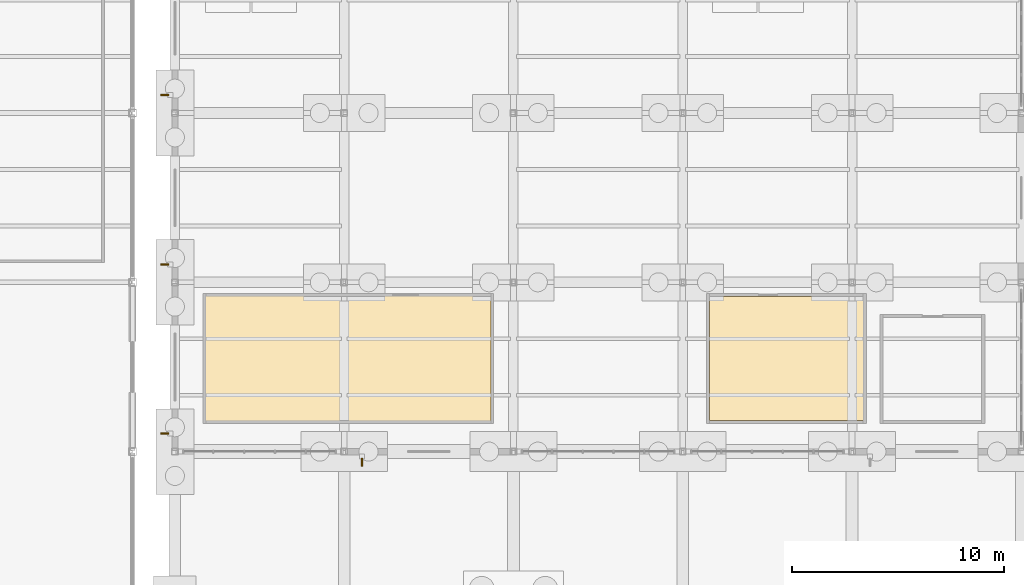
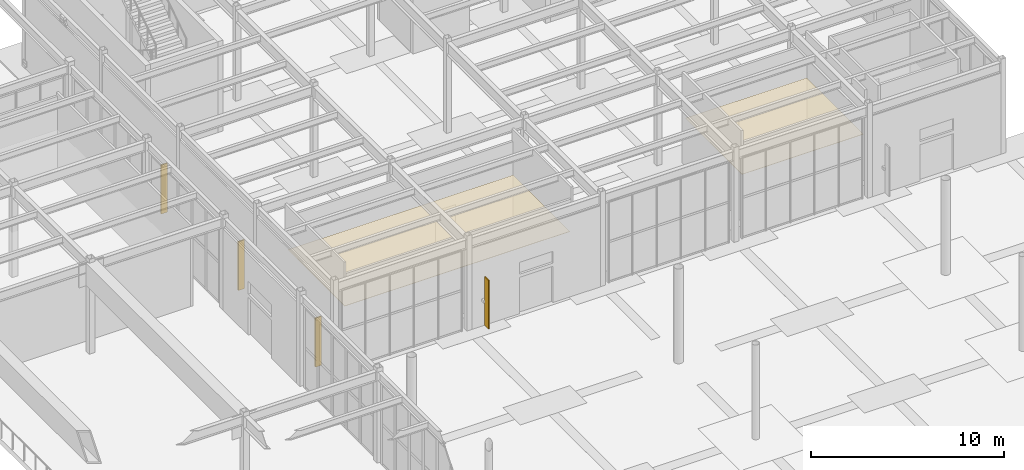
# One storey, part 79 of 82: 4 shading devices, 2 coverings.
"""IFC4 building model written with IfcOpenShell, lengths in metres."""

from ifc_helpers import new_model, si_unit, direction, frame, origin, origin_2d, place, context, subcontext, project, spatial, polyline, rectangle, outline, extrude, material, layer, layer_set, type_object, element, save


model = new_model("IFC4")

# Units and contexts
model_context = context("Model", 3, precision=1e-05, world=origin(), true_north=direction((0.0, 1.0)))
body_context = subcontext(model_context, "Body", "Model", "MODEL_VIEW")
ifc_project = project(units=[si_unit("LENGTHUNIT", "METRE"), si_unit("AREAUNIT", "SQUARE_METRE"), si_unit("VOLUMEUNIT", "CUBIC_METRE"), si_unit("PLANEANGLEUNIT", "RADIAN"), si_unit("MASSUNIT", "GRAM", prefix="KILO")], contexts=[model_context])

# Site, building, storey
site_placement = place(None, origin())
site = spatial("IfcSite", under=ifc_project, at=site_placement, CompositionType="ELEMENT")
building_placement = place(site_placement, origin())
building = spatial("IfcBuilding", under=site, at=building_placement, Name="Drelvath Fold Interchange", CompositionType="ELEMENT")
storey_placement = place(building_placement, origin())
storey = spatial("IfcBuildingStorey", under=building, at=storey_placement, Name="L00", CompositionType="ELEMENT", Elevation=0.0)

# Coverings
ifc_material_1 = material(Name="Perforated Aluminium Acoustic Ceiling", Category="aluminium")
ifc_layer = layer(ifc_material_1, 0.01806640625, Name="Perforated Aluminium Acoustic Ceiling")
ifc_layer_set = layer_set([ifc_layer], Name="Perforated Aluminium Acoustic Ceiling")
covering_type = type_object("IfcCoveringType", Name="CV-CEIL-AL18", PredefinedType="CEILING", material=ifc_layer_set)
covering_1_placement = place(storey_placement, frame((0.0, 0.0, 2.830078125)))
element("IfcCovering", 1, at=covering_1_placement, inside=storey, type_object=covering_type, Name="Bicycle Repair and Rental Workshop acoustic ceiling", PredefinedType="CEILING", context=body_context, shape_type="SweptSolid", body=[
    extrude(outline(polyline([(103.455078125, 76.455078125), (116.945068359375, 76.455078125), (116.945068359375, 82.344970703125), (103.455078125, 82.344970703125), (103.455078125, 76.455078125)])), origin(), (0.0, 0.0, 1.0), 0.02001953125),
])
covering_2_placement = place(storey_placement, frame((0.0, 0.0, 2.830078125)))
element("IfcCovering", 2, at=covering_2_placement, inside=storey, type_object=covering_type, Name="Cyclist Shower and Changing Suite acoustic ceiling", PredefinedType="CEILING", context=body_context, shape_type="SweptSolid", body=[
    extrude(outline(polyline([(127.262939453125, 76.462890625), (134.537109375, 76.462890625), (134.537109375, 82.337890625), (127.262939453125, 82.337890625), (127.262939453125, 76.462890625)])), origin(), (0.0, 0.0, 1.0), 0.02001953125),
])

# Shading devices
ifc_material_2 = material(Name="Anodized Aluminium 6063-T6", Category="aluminium")
shading_device_type = type_object("IfcShadingDeviceType", Name="SD-FIN380", PredefinedType="JALOUSIE", material=ifc_material_2)
for number, where, z_axis, x_axis, name in (
    (3, (110.847900390625, 74.492919921875, 0.099853515625), (0.0, 0.0, 1.0), (0.0, 1.0, 0.0), "Vertical aluminium solar fin 5"),
    (4, (101.512939453125, 75.847900390625, 0.099853515625), (0.0, 0.0, 1.0), (1.0, 0.0, 0.0), "Vertical aluminium solar fin 7"),
    (5, (101.512939453125, 83.847900390625, 0.099853515625), (0.0, 0.0, 1.0), (1.0, 0.0, 0.0), "Vertical aluminium solar fin 8"),
    (6, (101.512939453125, 91.847900390625, 0.099853515625), (0.0, 0.0, 1.0), (1.0, 0.0, 0.0), "Vertical aluminium solar fin 9"),
):
    element("IfcShadingDevice", number, at=place(storey_placement, frame(where, z_axis=z_axis, x_axis=x_axis)), inside=storey, type_object=shading_device_type, Name=name, PredefinedType="JALOUSIE", context=body_context, shape_type="SweptSolid", body=[
        extrude(rectangle(XDim=0.3798828125, YDim=0.06494140625, at=origin_2d()), origin(), (0.0, 0.0, 1.0), 3.10009765625),
    ])

save(model, "model.ifc")
